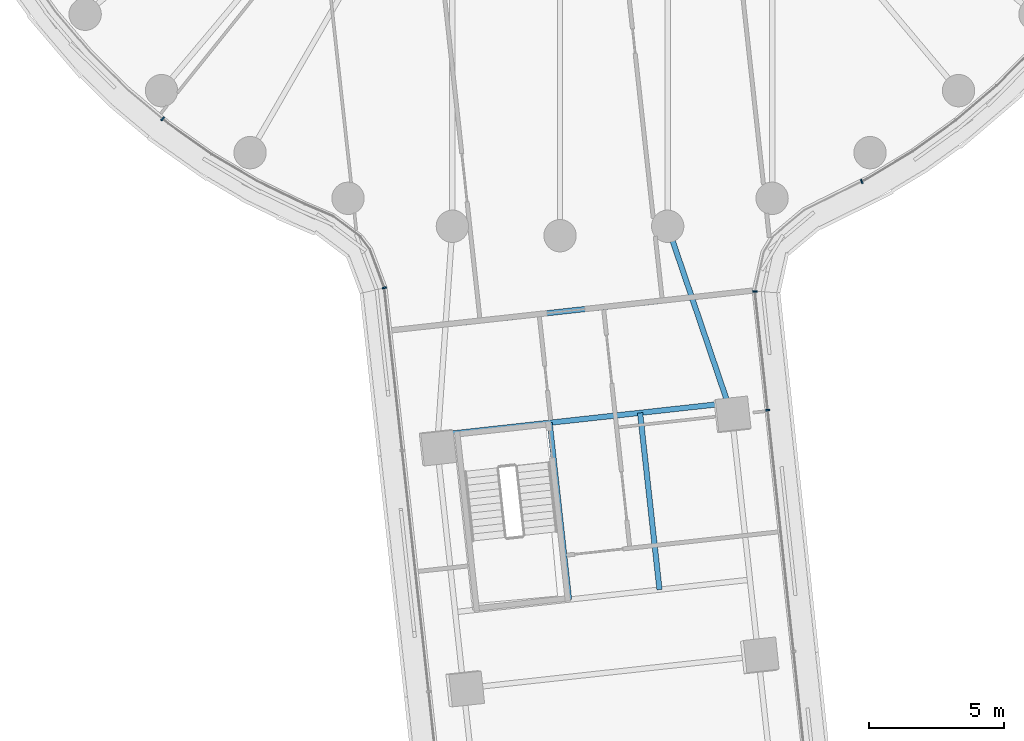
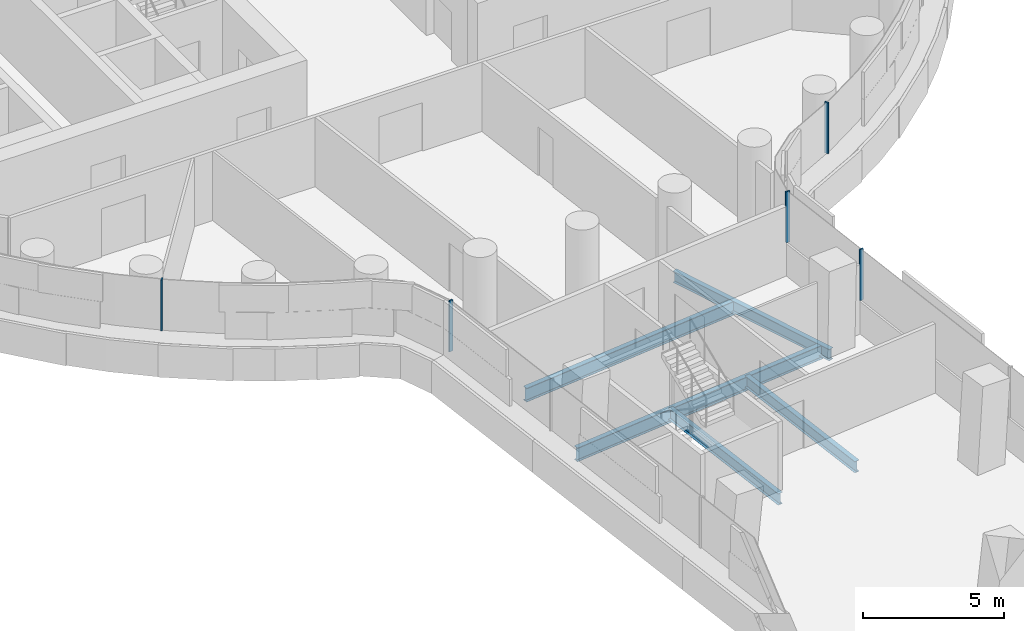
# One storey, part 3 of 31: 5 beams, 5 members, 4 elements without a shape of their own.
"""IFC4 building model written with IfcOpenShell, lengths in metres."""

from ifc_helpers import new_model, si_unit, direction, frame, origin, origin_2d, place, context, subcontext, project, spatial, rectangle, i_section, extrude, material, layer, layer_set, material_profile, profile_set, type_object, element, aggregate, save


model = new_model("IFC4")

# Units and contexts
model_context = context("Model", 3, precision=1e-05, world=origin(), true_north=direction((0.0, 1.0)))
body_context = subcontext(model_context, "Body", "Model", "MODEL_VIEW")
ifc_project = project(units=[si_unit("LENGTHUNIT", "METRE"), si_unit("AREAUNIT", "SQUARE_METRE"), si_unit("VOLUMEUNIT", "CUBIC_METRE"), si_unit("PLANEANGLEUNIT", "RADIAN"), si_unit("MASSUNIT", "GRAM", prefix="KILO")], contexts=[model_context])

# Site, building, storey
site_placement = place(None, origin())
site = spatial("IfcSite", under=ifc_project, at=site_placement, CompositionType="ELEMENT")
building_placement = place(site_placement, origin())
building = spatial("IfcBuilding", under=site, at=building_placement, Name="Tamarind Cross Interchange Tower", CompositionType="ELEMENT")
storey_placement = place(building_placement, frame((0.0, 0.0, 56.5)))
storey = spatial("IfcBuildingStorey", under=building, at=storey_placement, Name="L12", CompositionType="ELEMENT", Elevation=56.5)

# Beams
ifc_material_1 = material(Name="Steel Q355B", Category="steel")
ifc_material_profile_1 = material_profile(ifc_material_1, i_section(OverallWidth=0.198974609375, OverallDepth=0.49609375, WebThickness=0.009033203125, FlangeThickness=0.013916015625, FilletRadius=0.012939453125, at=origin_2d()), Name="HN 496x199x9x14")
ifc_profile_set_1 = profile_set([ifc_material_profile_1], Name="Steel Q355B")
beam_type_1 = type_object("IfcBeamType", Name="Composite beam HN 496x199x9x14 Q355B", PredefinedType="BEAM", material=ifc_profile_set_1)
beam_1_placement = place(storey_placement, frame((6.37353515625, -29.64990234375, -0.387939453125), z_axis=(-0.321889116105, 0.946777374536, 0.0), x_axis=(-0.946777374536, -0.321889116105, 0.0)))
element("IfcBeam", 1, at=beam_1_placement, inside=storey, type_object=beam_type_1, Name="Beam S-linkep", PredefinedType="BEAM", context=body_context, shape_type="SweptSolid", body=[
    extrude(i_section(OverallWidth=0.198974609375, OverallDepth=0.49609375, WebThickness=0.009033203125, FlangeThickness=0.013916015625, FilletRadius=0.012939453125, at=origin_2d()), origin(), (0.0, 0.0, 1.0), 7.392822265625),
])
for number, where, z_axis, x_axis, name in (
    (2, (-0.38525390625, -29.939453125, -0.387939453125), (0.109160657109, -0.994024119898, 0.0), (0.994024119898, 0.109160657109, 0.0), "Beam S-tr1"),
    (3, (2.969482421875, -29.571044921875, -0.387939453125), (0.109197207173, -0.994020105403, 0.0), (0.994020105403, 0.109197207173, 0.0), "Beam S-stripp"),
):
    element("IfcBeam", number, at=place(storey_placement, frame(where, z_axis=z_axis, x_axis=x_axis)), inside=storey, type_object=beam_type_1, Name=name, PredefinedType="BEAM", context=body_context, shape_type="SweptSolid", body=[
        extrude(i_section(OverallWidth=0.198974609375, OverallDepth=0.49609375, WebThickness=0.009033203125, FlangeThickness=0.013916015625, FilletRadius=0.012939453125, at=origin_2d()), origin(), (0.0, 0.0, 1.0), 6.60009765625),
    ])
ifc_material_profile_2 = material_profile(ifc_material_1, i_section(OverallWidth=0.199951171875, OverallDepth=0.60009765625, WebThickness=0.010986328125, FlangeThickness=0.01708984375, FilletRadius=0.012939453125, at=origin_2d()), Name="HN 600x200x11x17")
ifc_profile_set_2 = profile_set([ifc_material_profile_2], Name="Steel Q355B")
beam_type_2 = type_object("IfcBeamType", Name="Composite beam HN 600x200x11x17 Q355B", PredefinedType="BEAM", material=ifc_profile_set_2)
beam_2_placement = place(storey_placement, frame((-4.529296875, -30.394775390625, -0.43994140625), z_axis=(0.994020286972, 0.10919555434, 0.0), x_axis=(-0.10919555434, 0.994020286972, 0.0)))
element("IfcBeam", 4, at=beam_2_placement, inside=storey, type_object=beam_type_2, Name="Beam S-x298", PredefinedType="BEAM", context=body_context, shape_type="SweptSolid", body=[
    extrude(i_section(OverallWidth=0.199951171875, OverallDepth=0.60009765625, WebThickness=0.010986328125, FlangeThickness=0.01708984375, FilletRadius=0.012939453125, at=origin_2d()), origin(), (0.0, 0.0, 1.0), 10.819091796875),
])
beam_3_placement = place(storey_placement, frame((-4.245361328125, -26.289306640625, -0.43994140625), z_axis=(0.994018408958, 0.109212648775, 0.0), x_axis=(-0.109212648775, 0.994018408958, 0.0)))
element("IfcBeam", 5, at=beam_3_placement, inside=storey, type_object=beam_type_2, Name="Beam S-x258", PredefinedType="BEAM", context=body_context, shape_type="SweptSolid", body=[
    extrude(i_section(OverallWidth=0.199951171875, OverallDepth=0.60009765625, WebThickness=0.010986328125, FlangeThickness=0.01708984375, FilletRadius=0.012939453125, at=origin_2d()), origin(), (0.0, 0.0, 1.0), 9.18994140625),
])

# Curtain wall, member
ifc_material_2 = material(Name="Aluminium 6063-T6", Category="aluminium")
ifc_layer = layer(ifc_material_2, 0.159912109375)
ifc_layer_set = layer_set([ifc_layer], Name="Aluminium 6063-T6")
curtain_wall_type = type_object("IfcCurtainWallType", Name="Office curtain wall, 9.0 m bays", PredefinedType="NOTDEFINED", material=ifc_layer_set)
curtain_wall_1_placement = place(storey_placement, origin())
curtain_wall_1 = element("IfcCurtainWall", 6, at=curtain_wall_1_placement, inside=storey, type_object=curtain_wall_type, Name="CWS-L12-10", PredefinedType="NOTDEFINED")
ifc_material_profile_3 = material_profile(ifc_material_2, rectangle(XDim=0.06005859375, YDim=0.159912109375, at=origin_2d()), Name="Mullion CW1")
ifc_profile_set_3 = profile_set([ifc_material_profile_3], Name="Aluminium 6063-T6")
member_type = type_object("IfcMemberType", Name="Mullion CW1", PredefinedType="MULLION", material=ifc_profile_set_3)
member_1_placement = place(storey_placement, frame((-14.745849609375, -18.66357421875, 1.39990234375), z_axis=(0.0, 0.0, 1.0), x_axis=(0.765858396687, -0.643009266048, 0.0)))
member_1 = element("IfcMember", 7, at=member_1_placement, type_object=member_type, Name="CWM-L12-10-02", PredefinedType="MULLION", context=body_context, shape_type="SweptSolid", body=[
    extrude(rectangle(XDim=0.06005859375, YDim=0.159912109375, at=origin_2d()), origin(), (0.0, 0.0, 1.0), 2.210205078125),
])
aggregate(curtain_wall_1, [member_1])

curtain_wall_2_placement = place(storey_placement, origin())
curtain_wall_2 = element("IfcCurtainWall", 8, at=curtain_wall_2_placement, inside=storey, type_object=curtain_wall_type, Name="CWS-L12-11", PredefinedType="NOTDEFINED")
member_2_placement = place(storey_placement, frame((-6.518798828125, -24.9326171875, 1.39990234375), z_axis=(0.0, 0.0, 1.0), x_axis=(0.231010249193, -0.972951316751, 0.0)))
member_2 = element("IfcMember", 9, at=member_2_placement, type_object=member_type, Name="CWM-L12-11-00", PredefinedType="MULLION", context=body_context, shape_type="SweptSolid", body=[
    extrude(rectangle(XDim=0.06005859375, YDim=0.159912109375, at=origin_2d()), origin(), (0.0, 0.0, 1.0), 2.210205078125),
])
aggregate(curtain_wall_2, [member_2])

curtain_wall_3_placement = place(storey_placement, origin())
curtain_wall_3 = element("IfcCurtainWall", 10, at=curtain_wall_3_placement, inside=storey, type_object=curtain_wall_type, Name="CWS-L12-13", PredefinedType="NOTDEFINED")
member_3_placement = place(storey_placement, frame((7.703857421875, -29.4716796875, 1.39990234375), z_axis=(0.0, 0.0, 1.0), x_axis=(-0.106743612679, 0.994286578986, 0.0)))
member_3 = element("IfcMember", 11, at=member_3_placement, type_object=member_type, Name="CWM-L12-13-02", PredefinedType="MULLION", context=body_context, shape_type="SweptSolid", body=[
    extrude(rectangle(XDim=0.06005859375, YDim=0.159912109375, at=origin_2d()), origin(), (0.0, 0.0, 1.0), 2.210205078125),
])
aggregate(curtain_wall_3, [member_3])

# Curtain wall, members
curtain_wall_4_placement = place(storey_placement, origin())
curtain_wall_4 = element("IfcCurtainWall", 12, at=curtain_wall_4_placement, inside=storey, type_object=curtain_wall_type, Name="CWS-L12-14", PredefinedType="NOTDEFINED")
member_4_placement = place(storey_placement, frame((7.23095703125, -25.06689453125, 1.39990234375), z_axis=(0.0, 0.0, 1.0), x_axis=(0.055314571186, 0.998468977092, 0.0)))
member_4 = element("IfcMember", 13, at=member_4_placement, type_object=member_type, Name="CWM-L12-14-00", PredefinedType="MULLION", context=body_context, shape_type="SweptSolid", body=[
    extrude(rectangle(XDim=0.06005859375, YDim=0.159912109375, at=origin_2d()), origin(), (0.0, 0.0, 1.0), 2.210205078125),
])
member_5_placement = place(storey_placement, frame((11.193115234375, -20.98876953125, 1.39990234375), z_axis=(0.0, 0.0, 1.0), x_axis=(0.896492548518, 0.443058811505, 0.0)))
member_5 = element("IfcMember", 14, at=member_5_placement, type_object=member_type, Name="CWM-L12-14-01", PredefinedType="MULLION", context=body_context, shape_type="SweptSolid", body=[
    extrude(rectangle(XDim=0.06005859375, YDim=0.159912109375, at=origin_2d()), origin(), (0.0, 0.0, 1.0), 2.210205078125),
])
aggregate(curtain_wall_4, [member_4, member_5])

save(model, "model.ifc")
